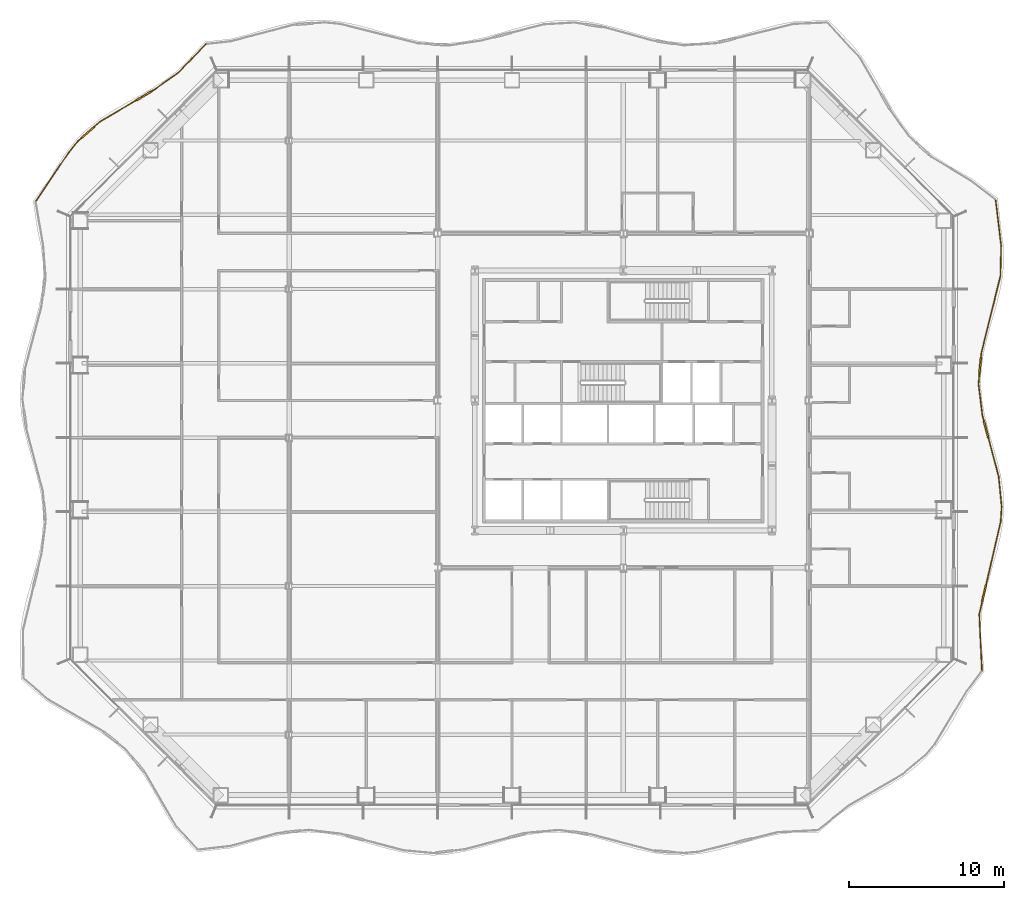
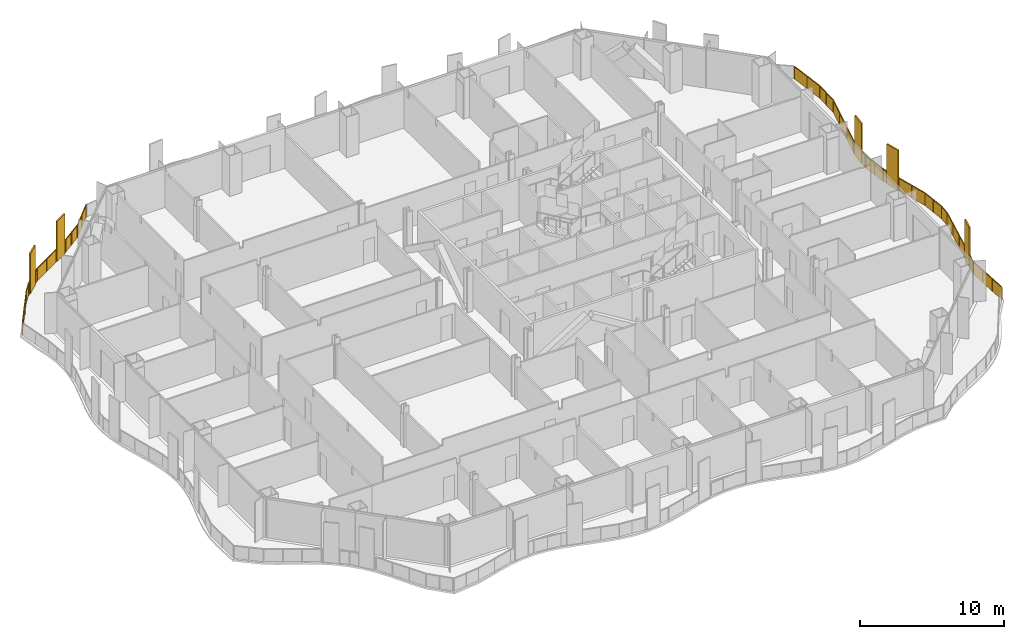
# One storey, part 19 of 21: 2 railings.
"""IFC4 building model written with IfcOpenShell, lengths in metres."""

from ifc_helpers import new_model, si_unit, direction, frame, origin, origin_2d, place, context, subcontext, project, spatial, polyline, rectangle, outline, extrude, material, type_object, element, save


model = new_model("IFC4")

# Units and contexts
model_context = context("Model", 3, precision=1e-05, world=origin(), true_north=direction((0.0, 1.0)))
body_context = subcontext(model_context, "Body", "Model", "MODEL_VIEW")
ifc_project = project(units=[si_unit("LENGTHUNIT", "METRE"), si_unit("AREAUNIT", "SQUARE_METRE"), si_unit("VOLUMEUNIT", "CUBIC_METRE"), si_unit("PLANEANGLEUNIT", "RADIAN"), si_unit("MASSUNIT", "GRAM", prefix="KILO")], contexts=[model_context])

# Site, building, storey
site_placement = place(None, origin())
site = spatial("IfcSite", under=ifc_project, at=site_placement, CompositionType="ELEMENT")
building_placement = place(site_placement, origin())
building = spatial("IfcBuilding", under=site, at=building_placement, Name="Cairn Pilgrim Tower", CompositionType="ELEMENT")
storey_placement = place(building_placement, frame((0.0, 0.0, 54.60009765625)))
storey = spatial("IfcBuildingStorey", under=building, at=storey_placement, Name="L11", CompositionType="ELEMENT", Elevation=54.60009765625)

# Railings
ifc_material = material(Name="Bronze anodised aluminium rail, posts and fin screens with laminated glass infill", Category="aluminium")
railing_type = type_object("IfcRailingType", Name="BALCONY GUARD WITH FIN SCREENS", PredefinedType="GUARDRAIL", material=ifc_material)
railing_1_placement = place(storey_placement, frame((30.372314453125, -15.0673828125, 0.0)))
element("IfcRailing", 1, at=railing_1_placement, inside=storey, type_object=railing_type, Name="Balcony guard BGF-3 with fin screens", PredefinedType="GUARDRAIL", context=body_context, shape_type="SweptSolid", body=[
    extrude(rectangle(XDim=0.050048828125, YDim=0.050048828125, at=origin_2d()), frame((0.0, 0.0, 1.0751953125), z_axis=(-0.046637651631, 0.998911872715, 0.0), x_axis=(-0.998911872715, -0.046637651631, 0.0)), (0.0, 0.0, 1.0), 3.664306640625),
    extrude(rectangle(XDim=1.10009765625, YDim=0.110107421875, at=origin_2d()), frame((0.142333984375, 5.01220703125, 0.0), z_axis=(0.0, 0.0, 1.0), x_axis=(0.225721088106, 0.974191967932, 0.0)), (0.0, 0.0, 1.0), 3.39990234375),
    extrude(rectangle(XDim=0.050048828125, YDim=0.050048828125, at=origin_2d()), frame((-0.1708984375, 3.660400390625, 1.0751953125), z_axis=(0.225721088106, 0.974191967932, 0.0), x_axis=(-0.974191967932, 0.225721088106, 0.0)), (0.0, 0.0, 1.0), 0.83740234375),
    extrude(rectangle(XDim=0.050048828125, YDim=0.050048828125, at=origin_2d()), frame((0.266357421875, 5.5478515625, 1.0751953125), z_axis=(0.225721088106, 0.974191967932, 0.0), x_axis=(-0.974191967932, 0.225721088106, 0.0)), (0.0, 0.0, 1.0), 4.1875),
    extrude(rectangle(XDim=0.050048828125, YDim=0.050048828125, at=origin_2d()), frame((1.211669921875, 9.62744140625, 1.0751953125), z_axis=(0.066902955289, 0.997759487338, 0.0), x_axis=(-0.997759487338, 0.066902955289, 0.0)), (0.0, 0.0, 1.0), 0.970703125),
    extrude(rectangle(XDim=0.050048828125, YDim=0.050048828125, at=origin_2d()), frame((1.276611328125, 10.595947265625, 1.0751953125), z_axis=(-0.098939727344, 0.995093427952, 0.0), x_axis=(-0.995093427952, -0.098939727344, 0.0)), (0.0, 0.0, 1.0), 1.9716796875),
    extrude(rectangle(XDim=1.10009765625, YDim=0.110107421875, at=origin_2d()), frame((0.268798828125, 15.6220703125, 0.0), z_axis=(0.0, 0.0, 1.0), x_axis=(-0.256397304119, 0.966571478185, 0.0)), (0.0, 0.0, 1.0), 3.39990234375),
    extrude(rectangle(XDim=0.050048828125, YDim=0.050048828125, at=origin_2d()), frame((1.08154296875, 12.557861328125, 1.0751953125), z_axis=(-0.256397304119, 0.966571478185, 0.0), x_axis=(-0.966571478185, -0.256397304119, 0.0)), (0.0, 0.0, 1.0), 2.6201171875),
    extrude(rectangle(XDim=0.050048828125, YDim=0.050048828125, at=origin_2d()), frame((0.127685546875, 16.153564453125, 1.0751953125), z_axis=(-0.256397304119, 0.966571478185, 0.0), x_axis=(-0.966571478185, -0.256397304119, 0.0)), (0.0, 0.0, 1.0), 0.3876953125),
    extrude(rectangle(XDim=0.050048828125, YDim=0.050048828125, at=origin_2d()), frame((0.0283203125, 16.5283203125, 1.0751953125), z_axis=(-0.123382839016, 0.992359146195, 0.0), x_axis=(-0.992359146195, -0.123382839016, 0.0)), (0.0, 0.0, 1.0), 2.028076171875),
    extrude(rectangle(XDim=1.10009765625, YDim=0.110107421875, at=origin_2d()), frame((-0.11279296875, 19.707275390625, 0.0), z_axis=(0.0, 0.0, 1.0), x_axis=(0.093191129914, 0.995648237735, 0.0)), (0.0, 0.0, 1.0), 3.39990234375),
    extrude(rectangle(XDim=0.050048828125, YDim=0.050048828125, at=origin_2d()), frame((-0.221923828125, 18.541015625, 1.0751953125), z_axis=(0.093191129914, 0.995648237735, 0.0), x_axis=(-0.995648237735, 0.093191129914, 0.0)), (0.0, 0.0, 1.0), 0.621337890625),
    extrude(rectangle(XDim=0.050048828125, YDim=0.050048828125, at=origin_2d()), frame((-0.0615234375, 20.2548828125, 1.0751953125), z_axis=(0.093191129914, 0.995648237735, 0.0), x_axis=(-0.995648237735, 0.093191129914, 0.0)), (0.0, 0.0, 1.0), 0.301025390625),
    extrude(rectangle(XDim=0.050048828125, YDim=0.050048828125, at=origin_2d()), frame((-0.033447265625, 20.5546875, 1.0751953125), z_axis=(0.240725469526, 0.970593245557, 0.0), x_axis=(-0.970593245557, 0.240725469526, 0.0)), (0.0, 0.0, 1.0), 5.110595703125),
    extrude(rectangle(XDim=0.050048828125, YDim=0.050048828125, at=origin_2d()), frame((1.19677734375, 25.514892578125, 1.0751953125), z_axis=(0.022925179682, 0.999737183532, 0.0), x_axis=(-0.999737183532, 0.022925179682, 0.0)), (0.0, 0.0, 1.0), 1.95947265625),
    extrude(rectangle(XDim=0.050048828125, YDim=0.050048828125, at=origin_2d()), frame((1.24169921875, 27.473876953125, 1.0751953125), z_axis=(-0.11918438469, 0.992872138015, 0.0), x_axis=(-0.992872138015, -0.11918438469, 0.0)), (0.0, 0.0, 1.0), 2.94970703125),
    extrude(rectangle(XDim=0.050048828125, YDim=0.050048828125, at=origin_2d()), origin(), (0.0, 0.0, 1.0), 1.050048828125),
    extrude(rectangle(XDim=0.050048828125, YDim=0.050048828125, at=origin_2d()), frame((-0.056884765625, 1.22021484375, 0.0)), (0.0, 0.0, 1.0), 1.050048828125),
    extrude(rectangle(XDim=0.050048828125, YDim=0.050048828125, at=origin_2d()), frame((-0.114013671875, 2.440185546875, 0.0)), (0.0, 0.0, 1.0), 1.050048828125),
    extrude(rectangle(XDim=0.050048828125, YDim=0.050048828125, at=origin_2d()), frame((-0.1708984375, 3.660400390625, 0.0)), (0.0, 0.0, 1.0), 1.050048828125),
    extrude(rectangle(XDim=0.050048828125, YDim=0.050048828125, at=origin_2d()), frame((0.012451171875, 4.451904296875, 0.0)), (0.0, 0.0, 1.0), 1.050048828125),
    extrude(rectangle(XDim=0.050048828125, YDim=0.050048828125, at=origin_2d()), frame((0.27197265625, 5.572265625, 0.0)), (0.0, 0.0, 1.0), 1.050048828125),
    extrude(rectangle(XDim=0.050048828125, YDim=0.050048828125, at=origin_2d()), frame((0.585205078125, 6.924072265625, 0.0)), (0.0, 0.0, 1.0), 1.050048828125),
    extrude(rectangle(XDim=0.050048828125, YDim=0.050048828125, at=origin_2d()), frame((0.8984375, 8.275634765625, 0.0)), (0.0, 0.0, 1.0), 1.050048828125),
    extrude(rectangle(XDim=0.050048828125, YDim=0.050048828125, at=origin_2d()), frame((1.211669921875, 9.62744140625, 0.0)), (0.0, 0.0, 1.0), 1.050048828125),
    extrude(rectangle(XDim=0.050048828125, YDim=0.050048828125, at=origin_2d()), frame((1.276611328125, 10.595947265625, 0.0)), (0.0, 0.0, 1.0), 1.050048828125),
    extrude(rectangle(XDim=0.050048828125, YDim=0.050048828125, at=origin_2d()), frame((1.17919921875, 11.576904296875, 0.0)), (0.0, 0.0, 1.0), 1.050048828125),
    extrude(rectangle(XDim=0.050048828125, YDim=0.050048828125, at=origin_2d()), frame((1.08154296875, 12.557861328125, 0.0)), (0.0, 0.0, 1.0), 1.050048828125),
    extrude(rectangle(XDim=0.050048828125, YDim=0.050048828125, at=origin_2d()), frame((0.748779296875, 13.81201171875, 0.0)), (0.0, 0.0, 1.0), 1.050048828125),
    extrude(rectangle(XDim=0.050048828125, YDim=0.050048828125, at=origin_2d()), frame((0.416259765625, 15.066162109375, 0.0)), (0.0, 0.0, 1.0), 1.050048828125),
    extrude(rectangle(XDim=0.050048828125, YDim=0.050048828125, at=origin_2d()), frame((0.121337890625, 16.177734375, 0.0)), (0.0, 0.0, 1.0), 1.050048828125),
    extrude(rectangle(XDim=0.050048828125, YDim=0.050048828125, at=origin_2d()), frame((0.0283203125, 16.5283203125, 0.0)), (0.0, 0.0, 1.0), 1.050048828125),
    extrude(rectangle(XDim=0.050048828125, YDim=0.050048828125, at=origin_2d()), frame((-0.0966796875, 17.53466796875, 0.0)), (0.0, 0.0, 1.0), 1.050048828125),
    extrude(rectangle(XDim=0.050048828125, YDim=0.050048828125, at=origin_2d()), frame((-0.221923828125, 18.541015625, 0.0)), (0.0, 0.0, 1.0), 1.050048828125),
    extrude(rectangle(XDim=0.050048828125, YDim=0.050048828125, at=origin_2d()), frame((-0.166259765625, 19.134765625, 0.0)), (0.0, 0.0, 1.0), 1.050048828125),
    extrude(rectangle(XDim=0.050048828125, YDim=0.050048828125, at=origin_2d()), frame((-0.05908203125, 20.27978515625, 0.0)), (0.0, 0.0, 1.0), 1.050048828125),
    extrude(rectangle(XDim=0.050048828125, YDim=0.050048828125, at=origin_2d()), frame((-0.033447265625, 20.5546875, 0.0)), (0.0, 0.0, 1.0), 1.050048828125),
    extrude(rectangle(XDim=0.050048828125, YDim=0.050048828125, at=origin_2d()), frame((0.376708984375, 22.2080078125, 0.0)), (0.0, 0.0, 1.0), 1.050048828125),
    extrude(rectangle(XDim=0.050048828125, YDim=0.050048828125, at=origin_2d()), frame((0.78662109375, 23.861572265625, 0.0)), (0.0, 0.0, 1.0), 1.050048828125),
    extrude(rectangle(XDim=0.050048828125, YDim=0.050048828125, at=origin_2d()), frame((1.19677734375, 25.514892578125, 0.0)), (0.0, 0.0, 1.0), 1.050048828125),
    extrude(rectangle(XDim=0.050048828125, YDim=0.050048828125, at=origin_2d()), frame((1.21923828125, 26.494384765625, 0.0)), (0.0, 0.0, 1.0), 1.050048828125),
    extrude(rectangle(XDim=0.050048828125, YDim=0.050048828125, at=origin_2d()), frame((1.24169921875, 27.473876953125, 0.0)), (0.0, 0.0, 1.0), 1.050048828125),
    extrude(rectangle(XDim=0.050048828125, YDim=0.050048828125, at=origin_2d()), frame((1.06591796875, 28.938232421875, 0.0)), (0.0, 0.0, 1.0), 1.050048828125),
    extrude(rectangle(XDim=0.050048828125, YDim=0.050048828125, at=origin_2d()), frame((0.89013671875, 30.402587890625, 0.0)), (0.0, 0.0, 1.0), 1.050048828125),
    extrude(outline(polyline([(0.02490234375, 0.0), (1.196533203125, 0.0), (1.196533203125, 1.050048828125), (0.02490234375, 1.050048828125), (0.02490234375, 0.0)])), frame((-0.005859375, -0.000244140625, 0.0), z_axis=(0.998911872715, 0.046637651631, 0.0), x_axis=(-0.046637651631, 0.998911872715, 0.0)), (0.0, 0.0, 1.0), 0.011962890625),
    extrude(outline(polyline([(0.02490234375, 0.0), (1.196533203125, 0.0), (1.196533203125, 1.050048828125), (0.02490234375, 1.050048828125), (0.02490234375, 0.0)])), frame((-0.06298828125, 1.219970703125, 0.0), z_axis=(0.998911872715, 0.046637651631, 0.0), x_axis=(-0.046637651631, 0.998911872715, 0.0)), (0.0, 0.0, 1.0), 0.011962890625),
    extrude(outline(polyline([(0.02490234375, 0.0), (1.196533203125, 0.0), (1.196533203125, 1.050048828125), (0.02490234375, 1.050048828125), (0.02490234375, 0.0)])), frame((-0.119873046875, 2.43994140625, 0.0), z_axis=(0.998911872715, 0.046637651631, 0.0), x_axis=(-0.046637651631, 0.998911872715, 0.0)), (0.0, 0.0, 1.0), 0.011962890625),
    extrude(outline(polyline([(0.02490234375, 0.0), (0.787353515625, 0.0), (0.787353515625, 1.050048828125), (0.02490234375, 1.050048828125), (0.02490234375, 0.0)])), frame((-0.1767578125, 3.661865234375, 0.0), z_axis=(0.974191967932, -0.225721088106, 0.0), x_axis=(0.225721088106, 0.974191967932, 0.0)), (0.0, 0.0, 1.0), 0.011962890625),
    extrude(outline(polyline([(0.02490234375, 0.0), (1.362548828125, 0.0), (1.362548828125, 1.050048828125), (0.02490234375, 1.050048828125), (0.02490234375, 0.0)])), frame((0.266357421875, 5.57373046875, 0.0), z_axis=(0.974191967932, -0.225721088106, 0.0), x_axis=(0.225721088106, 0.974191967932, 0.0)), (0.0, 0.0, 1.0), 0.011962890625),
    extrude(outline(polyline([(0.02490234375, 0.0), (1.362548828125, 0.0), (1.362548828125, 1.050048828125), (0.02490234375, 1.050048828125), (0.02490234375, 0.0)])), frame((0.579345703125, 6.92529296875, 0.0), z_axis=(0.974191967932, -0.225721088106, 0.0), x_axis=(0.225721088106, 0.974191967932, 0.0)), (0.0, 0.0, 1.0), 0.011962890625),
    extrude(outline(polyline([(0.02490234375, 0.0), (1.362548828125, 0.0), (1.362548828125, 1.050048828125), (0.02490234375, 1.050048828125), (0.02490234375, 0.0)])), frame((0.892578125, 8.277099609375, 0.0), z_axis=(0.974191967932, -0.225721088106, 0.0), x_axis=(0.225721088106, 0.974191967932, 0.0)), (0.0, 0.0, 1.0), 0.011962890625),
    extrude(outline(polyline([(0.02490234375, 0.0), (0.945556640625, 0.0), (0.945556640625, 1.050048828125), (0.02490234375, 1.050048828125), (0.02490234375, 0.0)])), frame((1.205810546875, 9.6279296875, 0.0), z_axis=(0.997759487338, -0.066902955289, 0.0), x_axis=(0.066902955289, 0.997759487338, 0.0)), (0.0, 0.0, 1.0), 0.011962890625),
    extrude(outline(polyline([(0.02490234375, 0.0), (0.960693359375, 0.0), (0.960693359375, 1.050048828125), (0.02490234375, 1.050048828125), (0.02490234375, 0.0)])), frame((1.270751953125, 10.595458984375, 0.0), z_axis=(0.995093427952, 0.098939727344, 0.0), x_axis=(-0.098939727344, 0.995093427952, 0.0)), (0.0, 0.0, 1.0), 0.011962890625),
    extrude(outline(polyline([(0.02490234375, 0.0), (0.960693359375, 0.0), (0.960693359375, 1.050048828125), (0.02490234375, 1.050048828125), (0.02490234375, 0.0)])), frame((1.173095703125, 11.576416015625, 0.0), z_axis=(0.995093427952, 0.098939727344, 0.0), x_axis=(-0.098939727344, 0.995093427952, 0.0)), (0.0, 0.0, 1.0), 0.011962890625),
    extrude(outline(polyline([(0.02490234375, 0.0), (1.2724609375, 0.0), (1.2724609375, 1.050048828125), (0.02490234375, 1.050048828125), (0.02490234375, 0.0)])), frame((1.07568359375, 12.556396484375, 0.0), z_axis=(0.966571478185, 0.256397304119, 0.0), x_axis=(-0.256397304119, 0.966571478185, 0.0)), (0.0, 0.0, 1.0), 0.011962890625),
    extrude(outline(polyline([(0.02490234375, 0.0), (1.2724609375, 0.0), (1.2724609375, 1.050048828125), (0.02490234375, 1.050048828125), (0.02490234375, 0.0)])), frame((0.7431640625, 13.810546875, 0.0), z_axis=(0.966571478185, 0.256397304119, 0.0), x_axis=(-0.256397304119, 0.966571478185, 0.0)), (0.0, 0.0, 1.0), 0.011962890625),
    extrude(outline(polyline([(0.02490234375, 0.0), (0.337646484375, 0.0), (0.337646484375, 1.050048828125), (0.02490234375, 1.050048828125), (0.02490234375, 0.0)])), frame((0.115478515625, 16.17626953125, 0.0), z_axis=(0.966571478185, 0.256397304119, 0.0), x_axis=(-0.256397304119, 0.966571478185, 0.0)), (0.0, 0.0, 1.0), 0.011962890625),
    extrude(outline(polyline([(0.02490234375, 0.0), (0.989013671875, 0.0), (0.989013671875, 1.050048828125), (0.02490234375, 1.050048828125), (0.02490234375, 0.0)])), frame((0.0224609375, 16.527587890625, 0.0), z_axis=(0.992359146195, 0.123382839016, 0.0), x_axis=(-0.123382839016, 0.992359146195, 0.0)), (0.0, 0.0, 1.0), 0.011962890625),
    extrude(outline(polyline([(0.02490234375, 0.0), (0.989013671875, 0.0), (0.989013671875, 1.050048828125), (0.02490234375, 1.050048828125), (0.02490234375, 0.0)])), frame((-0.102783203125, 17.533935546875, 0.0), z_axis=(0.992359146195, 0.123382839016, 0.0), x_axis=(-0.123382839016, 0.992359146195, 0.0)), (0.0, 0.0, 1.0), 0.011962890625),
    extrude(outline(polyline([(0.02490234375, 0.0), (0.5712890625, 0.0), (0.5712890625, 1.050048828125), (0.02490234375, 1.050048828125), (0.02490234375, 0.0)])), frame((-0.227783203125, 18.54150390625, 0.0), z_axis=(0.995648237735, -0.093191129914, 0.0), x_axis=(0.093191129914, 0.995648237735, 0.0)), (0.0, 0.0, 1.0), 0.011962890625),
    extrude(outline(polyline([(0.02490234375, 0.0), (0.2509765625, 0.0), (0.2509765625, 1.050048828125), (0.02490234375, 1.050048828125), (0.02490234375, 0.0)])), frame((-0.065185546875, 20.280517578125, 0.0), z_axis=(0.995648237735, -0.093191129914, 0.0), x_axis=(0.093191129914, 0.995648237735, 0.0)), (0.0, 0.0, 1.0), 0.011962890625),
    extrude(outline(polyline([(0.02490234375, 0.0), (1.678466796875, 0.0), (1.678466796875, 1.050048828125), (0.02490234375, 1.050048828125), (0.02490234375, 0.0)])), frame((-0.039306640625, 20.55615234375, 0.0), z_axis=(0.970593245557, -0.240725469526, 0.0), x_axis=(0.240725469526, 0.970593245557, 0.0)), (0.0, 0.0, 1.0), 0.011962890625),
    extrude(outline(polyline([(0.02490234375, 0.0), (1.678466796875, 0.0), (1.678466796875, 1.050048828125), (0.02490234375, 1.050048828125), (0.02490234375, 0.0)])), frame((0.370849609375, 22.20947265625, 0.0), z_axis=(0.970593245557, -0.240725469526, 0.0), x_axis=(0.240725469526, 0.970593245557, 0.0)), (0.0, 0.0, 1.0), 0.011962890625),
    extrude(outline(polyline([(0.02490234375, 0.0), (1.678466796875, 0.0), (1.678466796875, 1.050048828125), (0.02490234375, 1.050048828125), (0.02490234375, 0.0)])), frame((0.781005859375, 23.863037109375, 0.0), z_axis=(0.970593245557, -0.240725469526, 0.0), x_axis=(0.240725469526, 0.970593245557, 0.0)), (0.0, 0.0, 1.0), 0.011962890625),
    extrude(outline(polyline([(0.02490234375, 0.0), (0.954833984375, 0.0), (0.954833984375, 1.050048828125), (0.02490234375, 1.050048828125), (0.02490234375, 0.0)])), frame((1.19091796875, 25.51513671875, 0.0), z_axis=(0.999737183532, -0.022925179682, 0.0), x_axis=(0.022925179682, 0.999737183532, 0.0)), (0.0, 0.0, 1.0), 0.011962890625),
    extrude(outline(polyline([(0.02490234375, 0.0), (0.954833984375, 0.0), (0.954833984375, 1.050048828125), (0.02490234375, 1.050048828125), (0.02490234375, 0.0)])), frame((1.21337890625, 26.49462890625, 0.0), z_axis=(0.999737183532, -0.022925179682, 0.0), x_axis=(0.022925179682, 0.999737183532, 0.0)), (0.0, 0.0, 1.0), 0.011962890625),
    extrude(outline(polyline([(0.02490234375, 0.0), (1.449951171875, 0.0), (1.449951171875, 1.050048828125), (0.02490234375, 1.050048828125), (0.02490234375, 0.0)])), frame((1.23583984375, 27.47314453125, 0.0), z_axis=(0.992872138015, 0.11918438469, 0.0), x_axis=(-0.11918438469, 0.992872138015, 0.0)), (0.0, 0.0, 1.0), 0.011962890625),
    extrude(outline(polyline([(0.02490234375, 0.0), (1.449951171875, 0.0), (1.449951171875, 1.050048828125), (0.02490234375, 1.050048828125), (0.02490234375, 0.0)])), frame((1.06005859375, 28.9375, 0.0), z_axis=(0.992872138015, 0.11918438469, 0.0), x_axis=(-0.11918438469, 0.992872138015, 0.0)), (0.0, 0.0, 1.0), 0.011962890625),
])
railing_2_placement = place(storey_placement, frame((-19.786865234375, 25.4453125, 0.0)))
element("IfcRailing", 2, at=railing_2_placement, inside=storey, type_object=railing_type, Name="Balcony guard BGF-6 with fin screens", PredefinedType="GUARDRAIL", context=body_context, shape_type="SweptSolid", body=[
    extrude(rectangle(XDim=0.050048828125, YDim=0.050048828125, at=origin_2d()), frame((0.0, 0.0, 1.0751953125), z_axis=(-0.69040538626, -0.723422699826, 0.0), x_axis=(0.723422699826, -0.69040538626, 0.0)), (0.0, 0.0, 1.0), 2.558349609375),
    extrude(rectangle(XDim=0.050048828125, YDim=0.050048828125, at=origin_2d()), frame((-1.766357421875, -1.850830078125, 1.0751953125), z_axis=(-0.818169856103, -0.574976596536, 0.0), x_axis=(0.574976596536, -0.818169856103, 0.0)), (0.0, 0.0, 1.0), 1.98974609375),
    extrude(rectangle(XDim=1.10009765625, YDim=0.110107421875, at=origin_2d()), frame((-3.997802734375, -3.34912109375, 0.0), z_axis=(0.0, 0.0, 1.0), x_axis=(-0.862360743069, -0.50629433022, 0.0)), (0.0, 0.0, 1.0), 3.39990234375),
    extrude(rectangle(XDim=0.050048828125, YDim=0.050048828125, at=origin_2d()), frame((-3.394287109375, -2.994873046875, 1.0751953125), z_axis=(-0.862360743069, -0.50629433022, 0.0), x_axis=(0.50629433022, -0.862360743069, 0.0)), (0.0, 0.0, 1.0), 0.14990234375),
    extrude(rectangle(XDim=0.050048828125, YDim=0.050048828125, at=origin_2d()), frame((-4.47216796875, -3.627685546875, 1.0751953125), z_axis=(-0.862360743069, -0.50629433022, 0.0), x_axis=(0.50629433022, -0.862360743069, 0.0)), (0.0, 0.0, 1.0), 2.74951171875),
    extrude(rectangle(XDim=1.10009765625, YDim=0.110107421875, at=origin_2d()), frame((-7.635009765625, -5.724365234375, 0.0), z_axis=(0.0, 0.0, 1.0), x_axis=(-0.747071717634, -0.664743445783, 0.0)), (0.0, 0.0, 1.0), 3.39990234375),
    extrude(rectangle(XDim=0.050048828125, YDim=0.050048828125, at=origin_2d()), frame((-6.84326171875, -5.019775390625, 1.0751953125), z_axis=(-0.747071717634, -0.664743445783, 0.0), x_axis=(0.664743445783, -0.747071717634, 0.0)), (0.0, 0.0, 1.0), 0.509765625),
    extrude(rectangle(XDim=0.050048828125, YDim=0.050048828125, at=origin_2d()), frame((-8.0458984375, -6.08984375, 1.0751953125), z_axis=(-0.747071717634, -0.664743445783, 0.0), x_axis=(0.664743445783, -0.747071717634, 0.0)), (0.0, 0.0, 1.0), 0.305908203125),
    extrude(rectangle(XDim=0.050048828125, YDim=0.050048828125, at=origin_2d()), frame((-8.2744140625, -6.293212890625, 1.0751953125), z_axis=(-0.629198228668, -0.777244870707, 0.0), x_axis=(0.777244870707, -0.629198228668, 0.0)), (0.0, 0.0, 1.0), 0.95654296875),
    extrude(rectangle(XDim=0.050048828125, YDim=0.050048828125, at=origin_2d()), frame((-8.876220703125, -7.03662109375, 1.0751953125), z_axis=(-0.560419878918, -0.828208644795, 0.0), x_axis=(0.828208644795, -0.560419878918, 0.0)), (0.0, 0.0, 1.0), 3.744384765625),
    extrude(rectangle(XDim=0.050048828125, YDim=0.050048828125, at=origin_2d()), origin(), (0.0, 0.0, 1.0), 1.050048828125),
    extrude(rectangle(XDim=0.050048828125, YDim=0.050048828125, at=origin_2d()), frame((-0.88330078125, -0.92529296875, 0.0)), (0.0, 0.0, 1.0), 1.050048828125),
    extrude(rectangle(XDim=0.050048828125, YDim=0.050048828125, at=origin_2d()), frame((-1.766357421875, -1.850830078125, 0.0)), (0.0, 0.0, 1.0), 1.050048828125),
    extrude(rectangle(XDim=0.050048828125, YDim=0.050048828125, at=origin_2d()), frame((-2.580322265625, -2.4228515625, 0.0)), (0.0, 0.0, 1.0), 1.050048828125),
    extrude(rectangle(XDim=0.050048828125, YDim=0.050048828125, at=origin_2d()), frame((-3.394287109375, -2.994873046875, 0.0)), (0.0, 0.0, 1.0), 1.050048828125),
    extrude(rectangle(XDim=0.050048828125, YDim=0.050048828125, at=origin_2d()), frame((-3.501953125, -3.05810546875, 0.0)), (0.0, 0.0, 1.0), 1.050048828125),
    extrude(rectangle(XDim=0.050048828125, YDim=0.050048828125, at=origin_2d()), frame((-4.49365234375, -3.640380859375, 0.0)), (0.0, 0.0, 1.0), 1.050048828125),
    extrude(rectangle(XDim=0.050048828125, YDim=0.050048828125, at=origin_2d()), frame((-5.66845703125, -4.330078125, 0.0)), (0.0, 0.0, 1.0), 1.050048828125),
    extrude(rectangle(XDim=0.050048828125, YDim=0.050048828125, at=origin_2d()), frame((-6.84326171875, -5.019775390625, 0.0)), (0.0, 0.0, 1.0), 1.050048828125),
    extrude(rectangle(XDim=0.050048828125, YDim=0.050048828125, at=origin_2d()), frame((-7.205322265625, -5.342041015625, 0.0)), (0.0, 0.0, 1.0), 1.050048828125),
    extrude(rectangle(XDim=0.050048828125, YDim=0.050048828125, at=origin_2d()), frame((-8.064697265625, -6.1064453125, 0.0)), (0.0, 0.0, 1.0), 1.050048828125),
    extrude(rectangle(XDim=0.050048828125, YDim=0.050048828125, at=origin_2d()), frame((-8.2744140625, -6.293212890625, 0.0)), (0.0, 0.0, 1.0), 1.050048828125),
    extrude(rectangle(XDim=0.050048828125, YDim=0.050048828125, at=origin_2d()), frame((-8.876220703125, -7.03662109375, 0.0)), (0.0, 0.0, 1.0), 1.050048828125),
    extrude(rectangle(XDim=0.050048828125, YDim=0.050048828125, at=origin_2d()), frame((-9.57568359375, -8.0703125, 0.0)), (0.0, 0.0, 1.0), 1.050048828125),
    extrude(rectangle(XDim=0.050048828125, YDim=0.050048828125, at=origin_2d()), frame((-10.275146484375, -9.10400390625, 0.0)), (0.0, 0.0, 1.0), 1.050048828125),
    extrude(rectangle(XDim=0.050048828125, YDim=0.050048828125, at=origin_2d()), frame((-10.974609375, -10.1376953125, 0.0)), (0.0, 0.0, 1.0), 1.050048828125),
    extrude(outline(polyline([(0.02490234375, 0.0), (1.254150390625, 0.0), (1.254150390625, 1.050048828125), (0.02490234375, 1.050048828125), (0.02490234375, 0.0)])), frame((0.00439453125, -0.004150390625, 0.0), z_axis=(-0.723422699826, 0.69040538626, 0.0), x_axis=(-0.69040538626, -0.723422699826, 0.0)), (0.0, 0.0, 1.0), 0.011962890625),
    extrude(outline(polyline([(0.02490234375, 0.0), (1.254150390625, 0.0), (1.254150390625, 1.050048828125), (0.02490234375, 1.050048828125), (0.02490234375, 0.0)])), frame((-0.87890625, -0.929443359375, 0.0), z_axis=(-0.723422699826, 0.69040538626, 0.0), x_axis=(-0.69040538626, -0.723422699826, 0.0)), (0.0, 0.0, 1.0), 0.011962890625),
    extrude(outline(polyline([(0.02490234375, 0.0), (0.9697265625, 0.0), (0.9697265625, 1.050048828125), (0.02490234375, 1.050048828125), (0.02490234375, 0.0)])), frame((-1.762939453125, -1.855712890625, 0.0), z_axis=(-0.574976596536, 0.818169856103, 0.0), x_axis=(-0.818169856103, -0.574976596536, 0.0)), (0.0, 0.0, 1.0), 0.011962890625),
    extrude(outline(polyline([(0.02490234375, 0.0), (0.9697265625, 0.0), (0.9697265625, 1.050048828125), (0.02490234375, 1.050048828125), (0.02490234375, 0.0)])), frame((-2.576904296875, -2.427734375, 0.0), z_axis=(-0.574976596536, 0.818169856103, 0.0), x_axis=(-0.818169856103, -0.574976596536, 0.0)), (0.0, 0.0, 1.0), 0.011962890625),
    extrude(outline(polyline([(0.02490234375, 0.0), (0.099853515625, 0.0), (0.099853515625, 1.050048828125), (0.02490234375, 1.050048828125), (0.02490234375, 0.0)])), frame((-3.391357421875, -3.0, 0.0), z_axis=(-0.50629433022, 0.862360743069, 0.0), x_axis=(-0.862360743069, -0.50629433022, 0.0)), (0.0, 0.0, 1.0), 0.011962890625),
    extrude(outline(polyline([(0.02490234375, 0.0), (1.337158203125, 0.0), (1.337158203125, 1.050048828125), (0.02490234375, 1.050048828125), (0.02490234375, 0.0)])), frame((-4.49072265625, -3.6455078125, 0.0), z_axis=(-0.50629433022, 0.862360743069, 0.0), x_axis=(-0.862360743069, -0.50629433022, 0.0)), (0.0, 0.0, 1.0), 0.011962890625),
    extrude(outline(polyline([(0.02490234375, 0.0), (1.337158203125, 0.0), (1.337158203125, 1.050048828125), (0.02490234375, 1.050048828125), (0.02490234375, 0.0)])), frame((-5.66552734375, -4.335205078125, 0.0), z_axis=(-0.50629433022, 0.862360743069, 0.0), x_axis=(-0.862360743069, -0.50629433022, 0.0)), (0.0, 0.0, 1.0), 0.011962890625),
    extrude(outline(polyline([(0.02490234375, 0.0), (0.459716796875, 0.0), (0.459716796875, 1.050048828125), (0.02490234375, 1.050048828125), (0.02490234375, 0.0)])), frame((-6.83935546875, -5.024169921875, 0.0), z_axis=(-0.664743445783, 0.747071717634, 0.0), x_axis=(-0.747071717634, -0.664743445783, 0.0)), (0.0, 0.0, 1.0), 0.011962890625),
    extrude(outline(polyline([(0.02490234375, 0.0), (0.255859375, 0.0), (0.255859375, 1.050048828125), (0.02490234375, 1.050048828125), (0.02490234375, 0.0)])), frame((-8.060546875, -6.111083984375, 0.0), z_axis=(-0.664743445783, 0.747071717634, 0.0), x_axis=(-0.747071717634, -0.664743445783, 0.0)), (0.0, 0.0, 1.0), 0.011962890625),
    extrude(outline(polyline([(0.02490234375, 0.0), (0.931396484375, 0.0), (0.931396484375, 1.050048828125), (0.02490234375, 1.050048828125), (0.02490234375, 0.0)])), frame((-8.269775390625, -6.296875, 0.0), z_axis=(-0.777244870707, 0.629198228668, 0.0), x_axis=(-0.629198228668, -0.777244870707, 0.0)), (0.0, 0.0, 1.0), 0.011962890625),
    extrude(outline(polyline([(0.02490234375, 0.0), (1.22314453125, 0.0), (1.22314453125, 1.050048828125), (0.02490234375, 1.050048828125), (0.02490234375, 0.0)])), frame((-8.871337890625, -7.0400390625, 0.0), z_axis=(-0.828208644795, 0.560419878918, 0.0), x_axis=(-0.560419878918, -0.828208644795, 0.0)), (0.0, 0.0, 1.0), 0.011962890625),
    extrude(outline(polyline([(0.02490234375, 0.0), (1.22314453125, 0.0), (1.22314453125, 1.050048828125), (0.02490234375, 1.050048828125), (0.02490234375, 0.0)])), frame((-9.57080078125, -8.07373046875, 0.0), z_axis=(-0.828208644795, 0.560419878918, 0.0), x_axis=(-0.560419878918, -0.828208644795, 0.0)), (0.0, 0.0, 1.0), 0.011962890625),
    extrude(outline(polyline([(0.02490234375, 0.0), (1.22314453125, 0.0), (1.22314453125, 1.050048828125), (0.02490234375, 1.050048828125), (0.02490234375, 0.0)])), frame((-10.270263671875, -9.107421875, 0.0), z_axis=(-0.828208644795, 0.560419878918, 0.0), x_axis=(-0.560419878918, -0.828208644795, 0.0)), (0.0, 0.0, 1.0), 0.011962890625),
])

save(model, "model.ifc")
